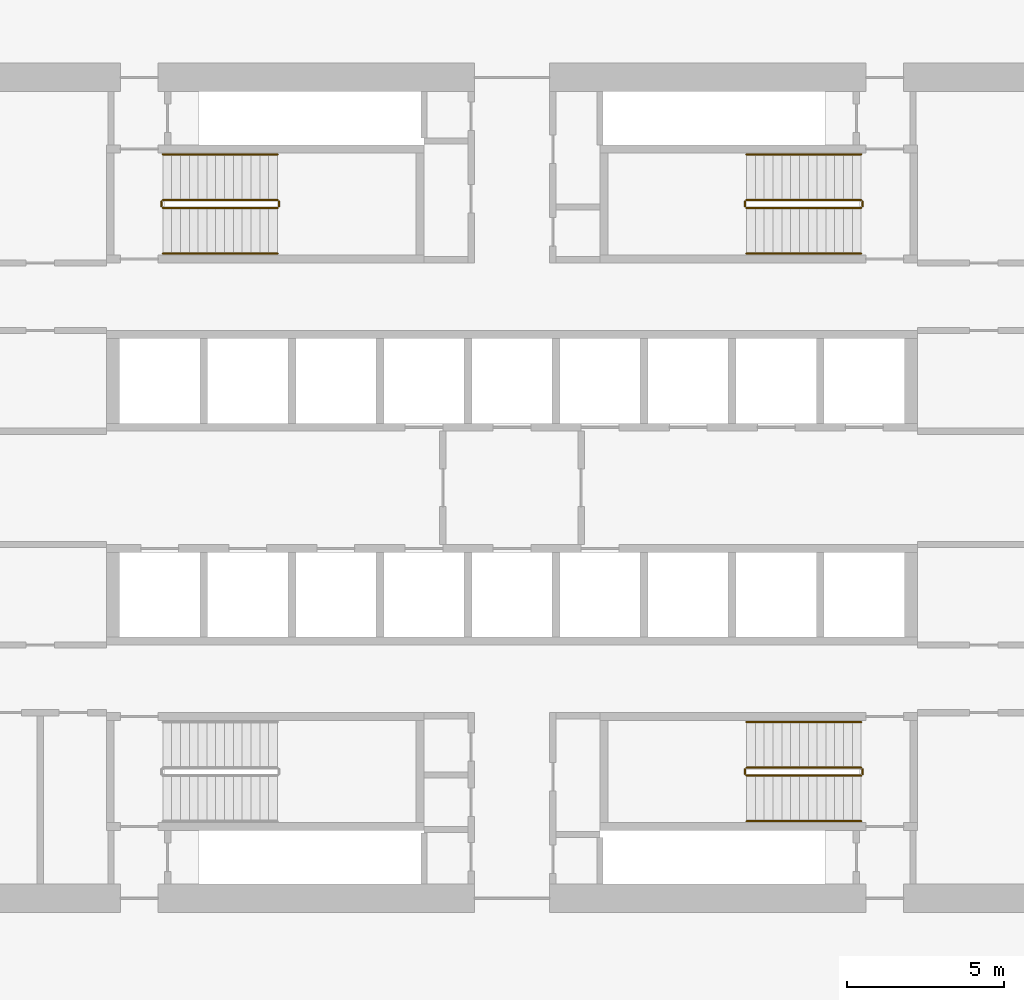
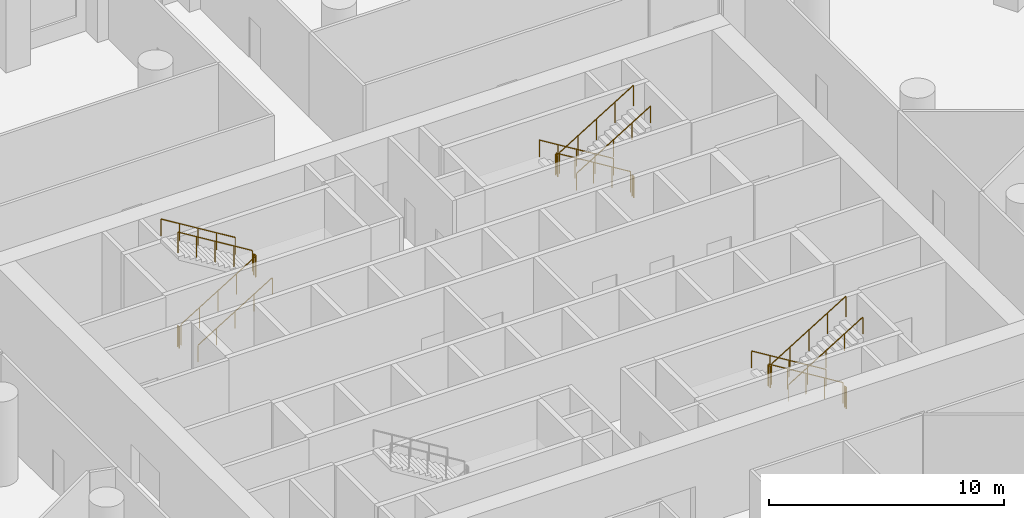
# One storey, part 21 of 27: 18 railings.
"""IFC4 building model written with IfcOpenShell, lengths in metres."""

from ifc_helpers import new_model, si_unit, direction, frame, origin, origin_2d, place, context, subcontext, project, spatial, circle, extrude, material, type_object, element, save


model = new_model("IFC4")

# Units and contexts
model_context = context("Model", 3, precision=1e-05, world=origin(), true_north=direction((0.0, 1.0)))
body_context = subcontext(model_context, "Body", "Model", "MODEL_VIEW")
ifc_project = project(units=[si_unit("LENGTHUNIT", "METRE"), si_unit("AREAUNIT", "SQUARE_METRE"), si_unit("VOLUMEUNIT", "CUBIC_METRE"), si_unit("PLANEANGLEUNIT", "RADIAN"), si_unit("MASSUNIT", "GRAM", prefix="KILO")], contexts=[model_context])

# Site, building, storey
site_placement = place(None, origin())
site = spatial("IfcSite", under=ifc_project, at=site_placement, CompositionType="ELEMENT")
building_placement = place(site_placement, origin())
building = spatial("IfcBuilding", under=site, at=building_placement, Name="Dhurran Vertical Campus", CompositionType="ELEMENT")
storey_placement = place(building_placement, frame((0.0, 0.0, 10.800048828125)))
storey = spatial("IfcBuildingStorey", under=building, at=storey_placement, Name="L02", CompositionType="ELEMENT", Elevation=10.800048828125)

# Railings
ifc_material_1 = material(Name="Stainless steel balustrade", Category="steel")
railing_type_1 = type_object("IfcRailingType", Name="co-RL-GUARD-1100", PredefinedType="GUARDRAIL", material=ifc_material_1)
railing_1_placement = place(storey_placement, frame((-11.10009765625, 8.89990234375, 0.17138671875)))
element("IfcRailing", 1, at=railing_1_placement, inside=storey, type_object=railing_type_1, Name="L02 ST1 stair guard 1", PredefinedType="GUARDRAIL", context=body_context, shape_type="SweptSolid", body=[
    extrude(circle(Radius=0.02392578125, at=origin_2d()), frame((0.0, 0.0, 1.076171875), z_axis=(0.852865859571, 0.0, 0.52213008492), x_axis=(0.0, 1.0, 0.0)), (0.0, 0.0, 1.0), 4.26806640625),
    extrude(circle(Radius=0.02099609375, at=origin_2d()), origin(), (0.0, 0.0, 1.0), 1.052001953125),
    extrude(circle(Radius=0.02099609375, at=origin_2d()), frame((0.91015625, 0.0, 0.55712890625)), (0.0, 0.0, 1.0), 1.052001953125),
    extrude(circle(Radius=0.02099609375, at=origin_2d()), frame((1.820068359375, 0.0, 1.1142578125)), (0.0, 0.0, 1.0), 1.052001953125),
    extrude(circle(Radius=0.02099609375, at=origin_2d()), frame((2.72998046875, 0.0, 1.67138671875)), (0.0, 0.0, 1.0), 1.052001953125),
    extrude(circle(Radius=0.02099609375, at=origin_2d()), frame((3.64013671875, 0.0, 2.228515625)), (0.0, 0.0, 1.0), 1.052001953125),
])
railing_2_placement = place(storey_placement, frame((-7.409912109375, 8.949951171875, 2.39990234375)))
element("IfcRailing", 2, at=railing_2_placement, inside=storey, type_object=railing_type_1, Name="L02 ST1 stair guard 2", PredefinedType="GUARDRAIL", context=body_context, shape_type="SweptSolid", body=[
    extrude(circle(Radius=0.02392578125, at=origin_2d()), frame((0.0, 0.0, 1.076171875), z_axis=(0.0, 1.0, 0.0), x_axis=(-1.0, 0.0, 0.0)), (0.0, 0.0, 1.0), 0.150146484375),
    extrude(circle(Radius=0.02099609375, at=origin_2d()), origin(), (0.0, 0.0, 1.0), 1.052001953125),
    extrude(circle(Radius=0.02099609375, at=origin_2d()), frame((0.0, 0.150146484375, 0.0)), (0.0, 0.0, 1.0), 1.052001953125),
])
railing_3_placement = place(storey_placement, frame((-7.4599609375, 9.14990234375, 2.5712890625)))
element("IfcRailing", 3, at=railing_3_placement, inside=storey, type_object=railing_type_1, Name="L02 ST1 stair guard 3", PredefinedType="GUARDRAIL", context=body_context, shape_type="SweptSolid", body=[
    extrude(circle(Radius=0.02392578125, at=origin_2d()), frame((0.0, 0.0, 1.076171875), z_axis=(-0.852840387347, 0.0, 0.522171689878), x_axis=(0.0, -1.0, 0.0)), (0.0, 0.0, 1.0), 4.268310546875),
    extrude(circle(Radius=0.02099609375, at=origin_2d()), origin(), (0.0, 0.0, 1.0), 1.052001953125),
    extrude(circle(Radius=0.02099609375, at=origin_2d()), frame((-0.91015625, 0.0, 0.55712890625)), (0.0, 0.0, 1.0), 1.052001953125),
    extrude(circle(Radius=0.02099609375, at=origin_2d()), frame((-1.820068359375, 0.0, 1.1142578125)), (0.0, 0.0, 1.0), 1.052001953125),
    extrude(circle(Radius=0.02099609375, at=origin_2d()), frame((-2.72998046875, 0.0, 1.671630859375)), (0.0, 0.0, 1.0), 1.052001953125),
    extrude(circle(Radius=0.02099609375, at=origin_2d()), frame((-3.64013671875, 0.0, 2.228759765625)), (0.0, 0.0, 1.0), 1.052001953125),
])
railing_4_placement = place(storey_placement, frame((-11.14990234375, 8.949951171875, 0.0)))
element("IfcRailing", 4, at=railing_4_placement, inside=storey, type_object=railing_type_1, Name="L02 ST1 stair guard 4", PredefinedType="GUARDRAIL", context=body_context, shape_type="SweptSolid", body=[
    extrude(circle(Radius=0.02392578125, at=origin_2d()), frame((0.0, 0.0, 1.076171875), z_axis=(0.0, 1.0, 0.0), x_axis=(-1.0, 0.0, 0.0)), (0.0, 0.0, 1.0), 0.150146484375),
    extrude(circle(Radius=0.02099609375, at=origin_2d()), origin(), (0.0, 0.0, 1.0), 1.052001953125),
    extrude(circle(Radius=0.02099609375, at=origin_2d()), frame((0.0, 0.150146484375, 0.0)), (0.0, 0.0, 1.0), 1.052001953125),
])
railing_5_placement = place(storey_placement, frame((11.10009765625, 9.14990234375, 0.17138671875)))
element("IfcRailing", 5, at=railing_5_placement, inside=storey, type_object=railing_type_1, Name="L02 ST2 stair guard 1", PredefinedType="GUARDRAIL", context=body_context, shape_type="SweptSolid", body=[
    extrude(circle(Radius=0.02392578125, at=origin_2d()), frame((0.0, 0.0, 1.076171875), z_axis=(-0.852865859571, 0.0, 0.52213008492), x_axis=(0.0, -1.0, 0.0)), (0.0, 0.0, 1.0), 4.26806640625),
    extrude(circle(Radius=0.02099609375, at=origin_2d()), origin(), (0.0, 0.0, 1.0), 1.052001953125),
    extrude(circle(Radius=0.02099609375, at=origin_2d()), frame((-0.91015625, 0.0, 0.55712890625)), (0.0, 0.0, 1.0), 1.052001953125),
    extrude(circle(Radius=0.02099609375, at=origin_2d()), frame((-1.820068359375, 0.0, 1.1142578125)), (0.0, 0.0, 1.0), 1.052001953125),
    extrude(circle(Radius=0.02099609375, at=origin_2d()), frame((-2.72998046875, 0.0, 1.67138671875)), (0.0, 0.0, 1.0), 1.052001953125),
    extrude(circle(Radius=0.02099609375, at=origin_2d()), frame((-3.64013671875, 0.0, 2.228515625)), (0.0, 0.0, 1.0), 1.052001953125),
])
railing_6_placement = place(storey_placement, frame((7.409912109375, 9.10009765625, 2.39990234375)))
element("IfcRailing", 6, at=railing_6_placement, inside=storey, type_object=railing_type_1, Name="L02 ST2 stair guard 2", PredefinedType="GUARDRAIL", context=body_context, shape_type="SweptSolid", body=[
    extrude(circle(Radius=0.02392578125, at=origin_2d()), frame((0.0, 0.0, 1.076171875), z_axis=(0.0, -1.0, 0.0), x_axis=(1.0, 0.0, 0.0)), (0.0, 0.0, 1.0), 0.150146484375),
    extrude(circle(Radius=0.02099609375, at=origin_2d()), origin(), (0.0, 0.0, 1.0), 1.052001953125),
    extrude(circle(Radius=0.02099609375, at=origin_2d()), frame((0.0, -0.150146484375, 0.0)), (0.0, 0.0, 1.0), 1.052001953125),
])
railing_7_placement = place(storey_placement, frame((7.4599609375, 8.89990234375, 2.5712890625)))
element("IfcRailing", 7, at=railing_7_placement, inside=storey, type_object=railing_type_1, Name="L02 ST2 stair guard 3", PredefinedType="GUARDRAIL", context=body_context, shape_type="SweptSolid", body=[
    extrude(circle(Radius=0.02392578125, at=origin_2d()), frame((0.0, 0.0, 1.076171875), z_axis=(0.852840387347, 0.0, 0.522171689878), x_axis=(0.0, 1.0, 0.0)), (0.0, 0.0, 1.0), 4.268310546875),
    extrude(circle(Radius=0.02099609375, at=origin_2d()), origin(), (0.0, 0.0, 1.0), 1.052001953125),
    extrude(circle(Radius=0.02099609375, at=origin_2d()), frame((0.91015625, 0.0, 0.55712890625)), (0.0, 0.0, 1.0), 1.052001953125),
    extrude(circle(Radius=0.02099609375, at=origin_2d()), frame((1.820068359375, 0.0, 1.1142578125)), (0.0, 0.0, 1.0), 1.052001953125),
    extrude(circle(Radius=0.02099609375, at=origin_2d()), frame((2.72998046875, 0.0, 1.671630859375)), (0.0, 0.0, 1.0), 1.052001953125),
    extrude(circle(Radius=0.02099609375, at=origin_2d()), frame((3.64013671875, 0.0, 2.228759765625)), (0.0, 0.0, 1.0), 1.052001953125),
])
railing_8_placement = place(storey_placement, frame((11.14990234375, 9.10009765625, 0.0)))
element("IfcRailing", 8, at=railing_8_placement, inside=storey, type_object=railing_type_1, Name="L02 ST2 stair guard 4", PredefinedType="GUARDRAIL", context=body_context, shape_type="SweptSolid", body=[
    extrude(circle(Radius=0.02392578125, at=origin_2d()), frame((0.0, 0.0, 1.076171875), z_axis=(0.0, -1.0, 0.0), x_axis=(1.0, 0.0, 0.0)), (0.0, 0.0, 1.0), 0.150146484375),
    extrude(circle(Radius=0.02099609375, at=origin_2d()), origin(), (0.0, 0.0, 1.0), 1.052001953125),
    extrude(circle(Radius=0.02099609375, at=origin_2d()), frame((0.0, -0.150146484375, 0.0)), (0.0, 0.0, 1.0), 1.052001953125),
])
railing_9_placement = place(storey_placement, frame((11.10009765625, -8.89990234375, 0.17138671875)))
element("IfcRailing", 9, at=railing_9_placement, inside=storey, type_object=railing_type_1, Name="L02 ST4 stair guard 1", PredefinedType="GUARDRAIL", context=body_context, shape_type="SweptSolid", body=[
    extrude(circle(Radius=0.02392578125, at=origin_2d()), frame((0.0, 0.0, 1.076171875), z_axis=(-0.852865859571, 0.0, 0.52213008492), x_axis=(0.0, -1.0, 0.0)), (0.0, 0.0, 1.0), 4.26806640625),
    extrude(circle(Radius=0.02099609375, at=origin_2d()), origin(), (0.0, 0.0, 1.0), 1.052001953125),
    extrude(circle(Radius=0.02099609375, at=origin_2d()), frame((-0.91015625, 0.0, 0.55712890625)), (0.0, 0.0, 1.0), 1.052001953125),
    extrude(circle(Radius=0.02099609375, at=origin_2d()), frame((-1.820068359375, 0.0, 1.1142578125)), (0.0, 0.0, 1.0), 1.052001953125),
    extrude(circle(Radius=0.02099609375, at=origin_2d()), frame((-2.72998046875, 0.0, 1.67138671875)), (0.0, 0.0, 1.0), 1.052001953125),
    extrude(circle(Radius=0.02099609375, at=origin_2d()), frame((-3.64013671875, 0.0, 2.228515625)), (0.0, 0.0, 1.0), 1.052001953125),
])
railing_10_placement = place(storey_placement, frame((7.409912109375, -8.949951171875, 2.39990234375)))
element("IfcRailing", 10, at=railing_10_placement, inside=storey, type_object=railing_type_1, Name="L02 ST4 stair guard 2", PredefinedType="GUARDRAIL", context=body_context, shape_type="SweptSolid", body=[
    extrude(circle(Radius=0.02392578125, at=origin_2d()), frame((0.0, 0.0, 1.076171875), z_axis=(0.0, -1.0, 0.0), x_axis=(1.0, 0.0, 0.0)), (0.0, 0.0, 1.0), 0.150146484375),
    extrude(circle(Radius=0.02099609375, at=origin_2d()), origin(), (0.0, 0.0, 1.0), 1.052001953125),
    extrude(circle(Radius=0.02099609375, at=origin_2d()), frame((0.0, -0.150146484375, 0.0)), (0.0, 0.0, 1.0), 1.052001953125),
])
railing_11_placement = place(storey_placement, frame((7.4599609375, -9.14990234375, 2.5712890625)))
element("IfcRailing", 11, at=railing_11_placement, inside=storey, type_object=railing_type_1, Name="L02 ST4 stair guard 3", PredefinedType="GUARDRAIL", context=body_context, shape_type="SweptSolid", body=[
    extrude(circle(Radius=0.02392578125, at=origin_2d()), frame((0.0, 0.0, 1.076171875), z_axis=(0.852840387347, 0.0, 0.522171689878), x_axis=(0.0, 1.0, 0.0)), (0.0, 0.0, 1.0), 4.268310546875),
    extrude(circle(Radius=0.02099609375, at=origin_2d()), origin(), (0.0, 0.0, 1.0), 1.052001953125),
    extrude(circle(Radius=0.02099609375, at=origin_2d()), frame((0.91015625, 0.0, 0.55712890625)), (0.0, 0.0, 1.0), 1.052001953125),
    extrude(circle(Radius=0.02099609375, at=origin_2d()), frame((1.820068359375, 0.0, 1.1142578125)), (0.0, 0.0, 1.0), 1.052001953125),
    extrude(circle(Radius=0.02099609375, at=origin_2d()), frame((2.72998046875, 0.0, 1.671630859375)), (0.0, 0.0, 1.0), 1.052001953125),
    extrude(circle(Radius=0.02099609375, at=origin_2d()), frame((3.64013671875, 0.0, 2.228759765625)), (0.0, 0.0, 1.0), 1.052001953125),
])
railing_12_placement = place(storey_placement, frame((11.14990234375, -8.949951171875, 0.0)))
element("IfcRailing", 12, at=railing_12_placement, inside=storey, type_object=railing_type_1, Name="L02 ST4 stair guard 4", PredefinedType="GUARDRAIL", context=body_context, shape_type="SweptSolid", body=[
    extrude(circle(Radius=0.02392578125, at=origin_2d()), frame((0.0, 0.0, 1.076171875), z_axis=(0.0, -1.0, 0.0), x_axis=(1.0, 0.0, 0.0)), (0.0, 0.0, 1.0), 0.150146484375),
    extrude(circle(Radius=0.02099609375, at=origin_2d()), origin(), (0.0, 0.0, 1.0), 1.052001953125),
    extrude(circle(Radius=0.02099609375, at=origin_2d()), frame((0.0, -0.150146484375, 0.0)), (0.0, 0.0, 1.0), 1.052001953125),
])
ifc_material_2 = material(Name="Stainless steel handrail", Category="steel")
railing_type_2 = type_object("IfcRailingType", Name="co-RL-HANDRAIL-900", PredefinedType="HANDRAIL", material=ifc_material_2)
railing_13_placement = place(storey_placement, frame((-11.10009765625, 7.449951171875, 0.17138671875)))
element("IfcRailing", 13, at=railing_13_placement, inside=storey, type_object=railing_type_2, Name="L02 ST1 stair handrail 1", PredefinedType="HANDRAIL", context=body_context, shape_type="SweptSolid", body=[
    extrude(circle(Radius=0.02392578125, at=origin_2d()), frame((0.0, 0.0, 0.8759765625), z_axis=(0.852865859571, 0.0, 0.52213008492), x_axis=(0.0, 1.0, 0.0)), (0.0, 0.0, 1.0), 4.26806640625),
    extrude(circle(Radius=0.02099609375, at=origin_2d()), origin(), (0.0, 0.0, 1.0), 0.851806640625),
    extrude(circle(Radius=0.02099609375, at=origin_2d()), frame((0.91015625, 0.0, 0.55712890625)), (0.0, 0.0, 1.0), 0.851806640625),
    extrude(circle(Radius=0.02099609375, at=origin_2d()), frame((1.820068359375, 0.0, 1.1142578125)), (0.0, 0.0, 1.0), 0.851806640625),
    extrude(circle(Radius=0.02099609375, at=origin_2d()), frame((2.72998046875, 0.0, 1.67138671875)), (0.0, 0.0, 1.0), 0.851806640625),
    extrude(circle(Radius=0.02099609375, at=origin_2d()), frame((3.64013671875, 0.0, 2.228515625)), (0.0, 0.0, 1.0), 0.851806640625),
])
railing_14_placement = place(storey_placement, frame((-7.4599609375, 10.60009765625, 2.5712890625)))
element("IfcRailing", 14, at=railing_14_placement, inside=storey, type_object=railing_type_2, Name="L02 ST1 stair handrail 2", PredefinedType="HANDRAIL", context=body_context, shape_type="SweptSolid", body=[
    extrude(circle(Radius=0.02392578125, at=origin_2d()), frame((0.0, 0.0, 0.8759765625), z_axis=(-0.852840387347, 0.0, 0.522171689878), x_axis=(0.0, -1.0, 0.0)), (0.0, 0.0, 1.0), 4.268310546875),
    extrude(circle(Radius=0.02099609375, at=origin_2d()), origin(), (0.0, 0.0, 1.0), 0.851806640625),
    extrude(circle(Radius=0.02099609375, at=origin_2d()), frame((-0.91015625, 0.0, 0.55712890625)), (0.0, 0.0, 1.0), 0.851806640625),
    extrude(circle(Radius=0.02099609375, at=origin_2d()), frame((-1.820068359375, 0.0, 1.1142578125)), (0.0, 0.0, 1.0), 0.851806640625),
    extrude(circle(Radius=0.02099609375, at=origin_2d()), frame((-2.72998046875, 0.0, 1.671630859375)), (0.0, 0.0, 1.0), 0.851806640625),
    extrude(circle(Radius=0.02099609375, at=origin_2d()), frame((-3.64013671875, 0.0, 2.228759765625)), (0.0, 0.0, 1.0), 0.851806640625),
])
railing_15_placement = place(storey_placement, frame((11.10009765625, 10.60009765625, 0.17138671875)))
element("IfcRailing", 15, at=railing_15_placement, inside=storey, type_object=railing_type_2, Name="L02 ST2 stair handrail 1", PredefinedType="HANDRAIL", context=body_context, shape_type="SweptSolid", body=[
    extrude(circle(Radius=0.02392578125, at=origin_2d()), frame((0.0, 0.0, 0.8759765625), z_axis=(-0.852865859571, 0.0, 0.52213008492), x_axis=(0.0, -1.0, 0.0)), (0.0, 0.0, 1.0), 4.26806640625),
    extrude(circle(Radius=0.02099609375, at=origin_2d()), origin(), (0.0, 0.0, 1.0), 0.851806640625),
    extrude(circle(Radius=0.02099609375, at=origin_2d()), frame((-0.91015625, 0.0, 0.55712890625)), (0.0, 0.0, 1.0), 0.851806640625),
    extrude(circle(Radius=0.02099609375, at=origin_2d()), frame((-1.820068359375, 0.0, 1.1142578125)), (0.0, 0.0, 1.0), 0.851806640625),
    extrude(circle(Radius=0.02099609375, at=origin_2d()), frame((-2.72998046875, 0.0, 1.67138671875)), (0.0, 0.0, 1.0), 0.851806640625),
    extrude(circle(Radius=0.02099609375, at=origin_2d()), frame((-3.64013671875, 0.0, 2.228515625)), (0.0, 0.0, 1.0), 0.851806640625),
])
railing_16_placement = place(storey_placement, frame((7.4599609375, 7.449951171875, 2.5712890625)))
element("IfcRailing", 16, at=railing_16_placement, inside=storey, type_object=railing_type_2, Name="L02 ST2 stair handrail 2", PredefinedType="HANDRAIL", context=body_context, shape_type="SweptSolid", body=[
    extrude(circle(Radius=0.02392578125, at=origin_2d()), frame((0.0, 0.0, 0.8759765625), z_axis=(0.852840387347, 0.0, 0.522171689878), x_axis=(0.0, 1.0, 0.0)), (0.0, 0.0, 1.0), 4.268310546875),
    extrude(circle(Radius=0.02099609375, at=origin_2d()), origin(), (0.0, 0.0, 1.0), 0.851806640625),
    extrude(circle(Radius=0.02099609375, at=origin_2d()), frame((0.91015625, 0.0, 0.55712890625)), (0.0, 0.0, 1.0), 0.851806640625),
    extrude(circle(Radius=0.02099609375, at=origin_2d()), frame((1.820068359375, 0.0, 1.1142578125)), (0.0, 0.0, 1.0), 0.851806640625),
    extrude(circle(Radius=0.02099609375, at=origin_2d()), frame((2.72998046875, 0.0, 1.671630859375)), (0.0, 0.0, 1.0), 0.851806640625),
    extrude(circle(Radius=0.02099609375, at=origin_2d()), frame((3.64013671875, 0.0, 2.228759765625)), (0.0, 0.0, 1.0), 0.851806640625),
])
railing_17_placement = place(storey_placement, frame((11.10009765625, -7.449951171875, 0.17138671875)))
element("IfcRailing", 17, at=railing_17_placement, inside=storey, type_object=railing_type_2, Name="L02 ST4 stair handrail 1", PredefinedType="HANDRAIL", context=body_context, shape_type="SweptSolid", body=[
    extrude(circle(Radius=0.02392578125, at=origin_2d()), frame((0.0, 0.0, 0.8759765625), z_axis=(-0.852865859571, 0.0, 0.52213008492), x_axis=(0.0, -1.0, 0.0)), (0.0, 0.0, 1.0), 4.26806640625),
    extrude(circle(Radius=0.02099609375, at=origin_2d()), origin(), (0.0, 0.0, 1.0), 0.851806640625),
    extrude(circle(Radius=0.02099609375, at=origin_2d()), frame((-0.91015625, 0.0, 0.55712890625)), (0.0, 0.0, 1.0), 0.851806640625),
    extrude(circle(Radius=0.02099609375, at=origin_2d()), frame((-1.820068359375, 0.0, 1.1142578125)), (0.0, 0.0, 1.0), 0.851806640625),
    extrude(circle(Radius=0.02099609375, at=origin_2d()), frame((-2.72998046875, 0.0, 1.67138671875)), (0.0, 0.0, 1.0), 0.851806640625),
    extrude(circle(Radius=0.02099609375, at=origin_2d()), frame((-3.64013671875, 0.0, 2.228515625)), (0.0, 0.0, 1.0), 0.851806640625),
])
railing_18_placement = place(storey_placement, frame((7.4599609375, -10.60009765625, 2.5712890625)))
element("IfcRailing", 18, at=railing_18_placement, inside=storey, type_object=railing_type_2, Name="L02 ST4 stair handrail 2", PredefinedType="HANDRAIL", context=body_context, shape_type="SweptSolid", body=[
    extrude(circle(Radius=0.02392578125, at=origin_2d()), frame((0.0, 0.0, 0.8759765625), z_axis=(0.852840387347, 0.0, 0.522171689878), x_axis=(0.0, 1.0, 0.0)), (0.0, 0.0, 1.0), 4.268310546875),
    extrude(circle(Radius=0.02099609375, at=origin_2d()), origin(), (0.0, 0.0, 1.0), 0.851806640625),
    extrude(circle(Radius=0.02099609375, at=origin_2d()), frame((0.91015625, 0.0, 0.55712890625)), (0.0, 0.0, 1.0), 0.851806640625),
    extrude(circle(Radius=0.02099609375, at=origin_2d()), frame((1.820068359375, 0.0, 1.1142578125)), (0.0, 0.0, 1.0), 0.851806640625),
    extrude(circle(Radius=0.02099609375, at=origin_2d()), frame((2.72998046875, 0.0, 1.671630859375)), (0.0, 0.0, 1.0), 0.851806640625),
    extrude(circle(Radius=0.02099609375, at=origin_2d()), frame((3.64013671875, 0.0, 2.228759765625)), (0.0, 0.0, 1.0), 0.851806640625),
])

save(model, "model.ifc")
